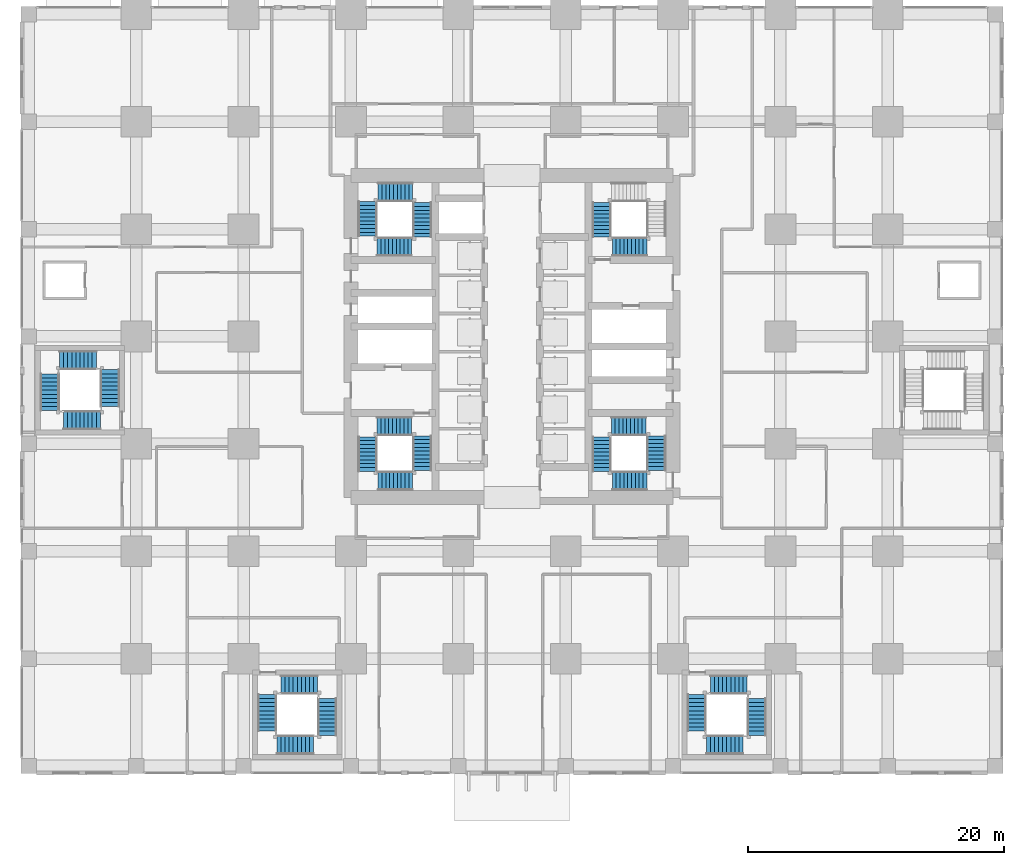
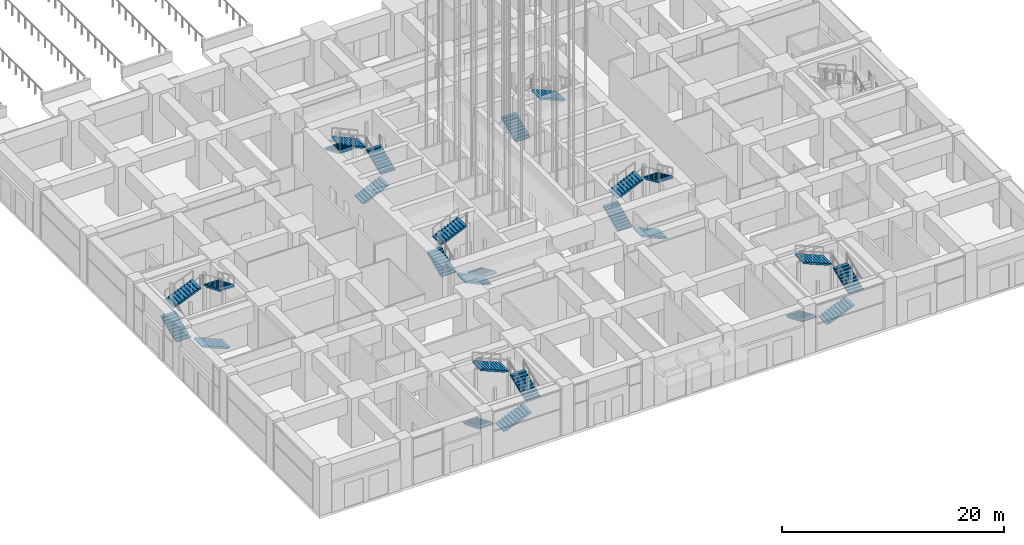
# One storey, part 44 of 81: 26 stair flights, 7 elements without a shape of their own.
"""IFC4 building model written with IfcOpenShell, lengths in metres."""

from ifc_helpers import new_model, si_unit, direction, frame, origin, place, context, subcontext, project, spatial, polyline, outline, extrude, material, type_object, element, aggregate, save


model = new_model("IFC4")

# Units and contexts
model_context = context("Model", 3, precision=1e-05, world=origin(), true_north=direction((0.0, 1.0)))
body_context = subcontext(model_context, "Body", "Model", "MODEL_VIEW")
ifc_project = project(units=[si_unit("LENGTHUNIT", "METRE"), si_unit("AREAUNIT", "SQUARE_METRE"), si_unit("VOLUMEUNIT", "CUBIC_METRE"), si_unit("PLANEANGLEUNIT", "RADIAN"), si_unit("MASSUNIT", "GRAM", prefix="KILO")], contexts=[model_context])

# Site, building, storey
site_placement = place(None, origin())
site = spatial("IfcSite", under=ifc_project, at=site_placement, CompositionType="ELEMENT")
building_placement = place(site_placement, origin())
building = spatial("IfcBuilding", under=site, at=building_placement, Name="Rekha Terrace Tower", CompositionType="ELEMENT")
storey_placement = place(building_placement, origin())
storey = spatial("IfcBuildingStorey", under=building, at=storey_placement, Name="L00", CompositionType="ELEMENT", Elevation=0.0)

# Stair, stair flights
ifc_material = material(Name="Concrete M40", Category="concrete")
stair_type_1 = type_object("IfcStairType", Name="ST40 stair, 40 risers of 135, going 300, 1500 wide flights, 4 flights", PredefinedType="QUARTER_TURN_STAIR", material=ifc_material)
stair_1_placement = place(storey_placement, origin())
stair_1 = element("IfcStair", 1, at=stair_1_placement, inside=storey, type_object=stair_type_1, Name="Stair ST1 L00 to L01", PredefinedType="QUARTER_TURN_STAIR")
stair_flight_type_1 = type_object("IfcStairFlightType", Name="SF10 stair flight, 10 risers of 135, going 300, 1500 wide", PredefinedType="STRAIGHT", material=ifc_material)
stair_flight_1_placement = place(storey_placement, frame((30.77490234375, 25.824951171875, 0.0), z_axis=(0.0, 0.0, 1.0), x_axis=(0.0, -1.0, 0.0)))
stair_flight_1 = element("IfcStairFlight", 2, at=stair_flight_1_placement, type_object=stair_flight_type_1, Name="ST1 flight 1", NumberOfRisers=10, NumberOfTreads=9, PredefinedType="STRAIGHT", RiserHeight=0.135, TreadLength=0.3, context=body_context, shape_type="SweptSolid", body=[
    extrude(outline(polyline([(0.0, 0.0), (0.0, 0.135009765625), (0.300048828125, 0.135009765625), (0.300048828125, 0.27001953125), (0.60009765625, 0.27001953125), (0.60009765625, 0.405029296875), (0.89990234375, 0.405029296875), (0.89990234375, 0.5400390625), (1.199951171875, 0.5400390625), (1.199951171875, 0.675048828125), (1.5, 0.675048828125), (1.5, 0.81005859375), (1.800048828125, 0.81005859375), (1.800048828125, 0.945068359375), (2.10009765625, 0.945068359375), (2.10009765625, 1.080078125), (2.39990234375, 1.080078125), (2.39990234375, 1.215087890625), (2.699951171875, 1.215087890625), (2.699951171875, 1.35009765625), (2.699951171875, 1.050537109375), (0.365234375, 0.0), (0.0, 0.0)])), frame((0.0, 0.75, 0.0), z_axis=(0.0, -1.0, 0.0), x_axis=(1.0, 0.0, 0.0)), (0.0, 0.0, 1.0), 1.5),
])
stair_flight_2_placement = place(storey_placement, frame((30.02490234375, 22.300048828125, 1.35009765625), z_axis=(0.0, 0.0, 1.0), x_axis=(-1.0, 0.0, 0.0)))
stair_flight_2 = element("IfcStairFlight", 3, at=stair_flight_2_placement, type_object=stair_flight_type_1, Name="ST1 flight 2", NumberOfRisers=10, NumberOfTreads=9, PredefinedType="STRAIGHT", RiserHeight=0.135, TreadLength=0.3, context=body_context, shape_type="SweptSolid", body=[
    extrude(outline(polyline([(0.0, 0.0), (0.0, 0.135009765625), (0.300048828125, 0.135009765625), (0.300048828125, 0.27001953125), (0.60009765625, 0.27001953125), (0.60009765625, 0.405029296875), (0.89990234375, 0.405029296875), (0.89990234375, 0.5400390625), (1.199951171875, 0.5400390625), (1.199951171875, 0.675048828125), (1.5, 0.675048828125), (1.5, 0.81005859375), (1.800048828125, 0.81005859375), (1.800048828125, 0.945068359375), (2.10009765625, 0.945068359375), (2.10009765625, 1.080078125), (2.39990234375, 1.080078125), (2.39990234375, 1.215087890625), (2.699951171875, 1.215087890625), (2.699951171875, 1.35009765625), (2.699951171875, 1.050537109375), (0.365234375, 0.0), (0.0, 0.0)])), frame((0.0, 0.75, 0.0), z_axis=(0.0, -1.0, 0.0), x_axis=(1.0, 0.0, 0.0)), (0.0, 0.0, 1.0), 1.5),
])
stair_flight_3_placement = place(storey_placement, frame((26.5, 23.050048828125, 2.699951171875), z_axis=(0.0, 0.0, 1.0), x_axis=(0.0, 1.0, 0.0)))
stair_flight_3 = element("IfcStairFlight", 4, at=stair_flight_3_placement, type_object=stair_flight_type_1, Name="ST1 flight 3", NumberOfRisers=10, NumberOfTreads=9, PredefinedType="STRAIGHT", RiserHeight=0.135, TreadLength=0.3, context=body_context, shape_type="SweptSolid", body=[
    extrude(outline(polyline([(0.0, 0.0), (0.0, 0.135009765625), (0.300048828125, 0.135009765625), (0.300048828125, 0.27001953125), (0.60009765625, 0.27001953125), (0.60009765625, 0.405029296875), (0.89990234375, 0.405029296875), (0.89990234375, 0.5400390625), (1.199951171875, 0.5400390625), (1.199951171875, 0.675048828125), (1.5, 0.675048828125), (1.5, 0.81005859375), (1.800048828125, 0.81005859375), (1.800048828125, 0.945068359375), (2.10009765625, 0.945068359375), (2.10009765625, 1.080078125), (2.39990234375, 1.080078125), (2.39990234375, 1.215087890625), (2.699951171875, 1.215087890625), (2.699951171875, 1.35009765625), (2.699951171875, 1.050537109375), (0.365234375, 0.0), (0.0, 0.0)])), frame((0.0, 0.75, 0.0), z_axis=(0.0, -1.0, 0.0), x_axis=(1.0, 0.0, 0.0)), (0.0, 0.0, 1.0), 1.5),
])
stair_flight_4_placement = place(storey_placement, frame((27.25, 26.574951171875, 4.050048828125), z_axis=(0.0, 0.0, 1.0), x_axis=(1.0, 0.0, 0.0)))
stair_flight_4 = element("IfcStairFlight", 5, at=stair_flight_4_placement, type_object=stair_flight_type_1, Name="ST1 flight 4", NumberOfRisers=10, NumberOfTreads=9, PredefinedType="STRAIGHT", RiserHeight=0.135, TreadLength=0.3, context=body_context, shape_type="SweptSolid", body=[
    extrude(outline(polyline([(0.0, 0.0), (0.0, 0.135009765625), (0.300048828125, 0.135009765625), (0.300048828125, 0.27001953125), (0.60009765625, 0.27001953125), (0.60009765625, 0.405029296875), (0.89990234375, 0.405029296875), (0.89990234375, 0.5400390625), (1.199951171875, 0.5400390625), (1.199951171875, 0.675048828125), (1.5, 0.675048828125), (1.5, 0.81005859375), (1.800048828125, 0.81005859375), (1.800048828125, 0.945068359375), (2.10009765625, 0.945068359375), (2.10009765625, 1.080078125), (2.39990234375, 1.080078125), (2.39990234375, 1.215087890625), (2.699951171875, 1.215087890625), (2.699951171875, 1.35009765625), (2.699951171875, 1.050537109375), (0.365234375, 0.0), (0.0, 0.0)])), frame((0.0, 0.75, 0.0), z_axis=(0.0, -1.0, 0.0), x_axis=(1.0, 0.0, 0.0)), (0.0, 0.0, 1.0), 1.5),
])
aggregate(stair_1, [stair_flight_1, stair_flight_2, stair_flight_3, stair_flight_4])

stair_2_placement = place(storey_placement, origin())
stair_2 = element("IfcStair", 6, at=stair_2_placement, inside=storey, type_object=stair_type_1, Name="Stair ST2 L00 to L01", PredefinedType="QUARTER_TURN_STAIR")
stair_flight_5_placement = place(storey_placement, frame((44.824951171875, 41.375, 0.0), z_axis=(0.0, 0.0, 1.0), x_axis=(0.0, 1.0, 0.0)))
stair_flight_5 = element("IfcStairFlight", 7, at=stair_flight_5_placement, type_object=stair_flight_type_1, Name="ST2 flight 1", NumberOfRisers=10, NumberOfTreads=9, PredefinedType="STRAIGHT", RiserHeight=0.135, TreadLength=0.3, context=body_context, shape_type="SweptSolid", body=[
    extrude(outline(polyline([(0.0, 0.0), (0.0, 0.135009765625), (0.300048828125, 0.135009765625), (0.300048828125, 0.27001953125), (0.60009765625, 0.27001953125), (0.60009765625, 0.405029296875), (0.89990234375, 0.405029296875), (0.89990234375, 0.5400390625), (1.199951171875, 0.5400390625), (1.199951171875, 0.675048828125), (1.5, 0.675048828125), (1.5, 0.81005859375), (1.800048828125, 0.81005859375), (1.800048828125, 0.945068359375), (2.10009765625, 0.945068359375), (2.10009765625, 1.080078125), (2.39990234375, 1.080078125), (2.39990234375, 1.215087890625), (2.699951171875, 1.215087890625), (2.699951171875, 1.35009765625), (2.699951171875, 1.050537109375), (0.365234375, 0.0), (0.0, 0.0)])), frame((0.0, 0.75, 0.0), z_axis=(0.0, -1.0, 0.0), x_axis=(1.0, 0.0, 0.0)), (0.0, 0.0, 1.0), 1.5),
])
stair_flight_6_placement = place(storey_placement, frame((48.35009765625, 40.625, 4.050048828125), z_axis=(0.0, 0.0, 1.0), x_axis=(-1.0, 0.0, 0.0)))
stair_flight_6 = element("IfcStairFlight", 8, at=stair_flight_6_placement, type_object=stair_flight_type_1, Name="ST2 flight 4", NumberOfRisers=10, NumberOfTreads=9, PredefinedType="STRAIGHT", RiserHeight=0.135, TreadLength=0.3, context=body_context, shape_type="SweptSolid", body=[
    extrude(outline(polyline([(0.0, 0.0), (0.0, 0.135009765625), (0.300048828125, 0.135009765625), (0.300048828125, 0.27001953125), (0.60009765625, 0.27001953125), (0.60009765625, 0.405029296875), (0.89990234375, 0.405029296875), (0.89990234375, 0.5400390625), (1.199951171875, 0.5400390625), (1.199951171875, 0.675048828125), (1.5, 0.675048828125), (1.5, 0.81005859375), (1.800048828125, 0.81005859375), (1.800048828125, 0.945068359375), (2.10009765625, 0.945068359375), (2.10009765625, 1.080078125), (2.39990234375, 1.080078125), (2.39990234375, 1.215087890625), (2.699951171875, 1.215087890625), (2.699951171875, 1.35009765625), (2.699951171875, 1.050537109375), (0.365234375, 0.0), (0.0, 0.0)])), frame((0.0, 0.75, 0.0), z_axis=(0.0, -1.0, 0.0), x_axis=(1.0, 0.0, 0.0)), (0.0, 0.0, 1.0), 1.5),
])
aggregate(stair_2, [stair_flight_5, stair_flight_6])

stair_3_placement = place(storey_placement, origin())
stair_3 = element("IfcStair", 9, at=stair_3_placement, inside=storey, type_object=stair_type_1, Name="Stair ST3 L00 to L01", PredefinedType="QUARTER_TURN_STAIR")
stair_flight_7_placement = place(storey_placement, frame((48.35009765625, 22.300048828125, 0.0), z_axis=(0.0, 0.0, 1.0), x_axis=(-1.0, 0.0, 0.0)))
stair_flight_7 = element("IfcStairFlight", 10, at=stair_flight_7_placement, type_object=stair_flight_type_1, Name="ST3 flight 1", NumberOfRisers=10, NumberOfTreads=9, PredefinedType="STRAIGHT", RiserHeight=0.135, TreadLength=0.3, context=body_context, shape_type="SweptSolid", body=[
    extrude(outline(polyline([(0.0, 0.0), (0.0, 0.135009765625), (0.300048828125, 0.135009765625), (0.300048828125, 0.27001953125), (0.60009765625, 0.27001953125), (0.60009765625, 0.405029296875), (0.89990234375, 0.405029296875), (0.89990234375, 0.5400390625), (1.199951171875, 0.5400390625), (1.199951171875, 0.675048828125), (1.5, 0.675048828125), (1.5, 0.81005859375), (1.800048828125, 0.81005859375), (1.800048828125, 0.945068359375), (2.10009765625, 0.945068359375), (2.10009765625, 1.080078125), (2.39990234375, 1.080078125), (2.39990234375, 1.215087890625), (2.699951171875, 1.215087890625), (2.699951171875, 1.35009765625), (2.699951171875, 1.050537109375), (0.365234375, 0.0), (0.0, 0.0)])), frame((0.0, 0.75, 0.0), z_axis=(0.0, -1.0, 0.0), x_axis=(1.0, 0.0, 0.0)), (0.0, 0.0, 1.0), 1.5),
])
stair_flight_8_placement = place(storey_placement, frame((44.824951171875, 23.050048828125, 1.35009765625), z_axis=(0.0, 0.0, 1.0), x_axis=(0.0, 1.0, 0.0)))
stair_flight_8 = element("IfcStairFlight", 11, at=stair_flight_8_placement, type_object=stair_flight_type_1, Name="ST3 flight 2", NumberOfRisers=10, NumberOfTreads=9, PredefinedType="STRAIGHT", RiserHeight=0.135, TreadLength=0.3, context=body_context, shape_type="SweptSolid", body=[
    extrude(outline(polyline([(0.0, 0.0), (0.0, 0.135009765625), (0.300048828125, 0.135009765625), (0.300048828125, 0.27001953125), (0.60009765625, 0.27001953125), (0.60009765625, 0.405029296875), (0.89990234375, 0.405029296875), (0.89990234375, 0.5400390625), (1.199951171875, 0.5400390625), (1.199951171875, 0.675048828125), (1.5, 0.675048828125), (1.5, 0.81005859375), (1.800048828125, 0.81005859375), (1.800048828125, 0.945068359375), (2.10009765625, 0.945068359375), (2.10009765625, 1.080078125), (2.39990234375, 1.080078125), (2.39990234375, 1.215087890625), (2.699951171875, 1.215087890625), (2.699951171875, 1.35009765625), (2.699951171875, 1.050537109375), (0.365234375, 0.0), (0.0, 0.0)])), frame((0.0, 0.75, 0.0), z_axis=(0.0, -1.0, 0.0), x_axis=(1.0, 0.0, 0.0)), (0.0, 0.0, 1.0), 1.5),
])
stair_flight_9_placement = place(storey_placement, frame((45.574951171875, 26.574951171875, 2.699951171875), z_axis=(0.0, 0.0, 1.0), x_axis=(1.0, 0.0, 0.0)))
stair_flight_9 = element("IfcStairFlight", 12, at=stair_flight_9_placement, type_object=stair_flight_type_1, Name="ST3 flight 3", NumberOfRisers=10, NumberOfTreads=9, PredefinedType="STRAIGHT", RiserHeight=0.135, TreadLength=0.3, context=body_context, shape_type="SweptSolid", body=[
    extrude(outline(polyline([(0.0, 0.0), (0.0, 0.135009765625), (0.300048828125, 0.135009765625), (0.300048828125, 0.27001953125), (0.60009765625, 0.27001953125), (0.60009765625, 0.405029296875), (0.89990234375, 0.405029296875), (0.89990234375, 0.5400390625), (1.199951171875, 0.5400390625), (1.199951171875, 0.675048828125), (1.5, 0.675048828125), (1.5, 0.81005859375), (1.800048828125, 0.81005859375), (1.800048828125, 0.945068359375), (2.10009765625, 0.945068359375), (2.10009765625, 1.080078125), (2.39990234375, 1.080078125), (2.39990234375, 1.215087890625), (2.699951171875, 1.215087890625), (2.699951171875, 1.35009765625), (2.699951171875, 1.050537109375), (0.365234375, 0.0), (0.0, 0.0)])), frame((0.0, 0.75, 0.0), z_axis=(0.0, -1.0, 0.0), x_axis=(1.0, 0.0, 0.0)), (0.0, 0.0, 1.0), 1.5),
])
stair_flight_10_placement = place(storey_placement, frame((49.10009765625, 25.824951171875, 4.050048828125), z_axis=(0.0, 0.0, 1.0), x_axis=(0.0, -1.0, 0.0)))
stair_flight_10 = element("IfcStairFlight", 13, at=stair_flight_10_placement, type_object=stair_flight_type_1, Name="ST3 flight 4", NumberOfRisers=10, NumberOfTreads=9, PredefinedType="STRAIGHT", RiserHeight=0.135, TreadLength=0.3, context=body_context, shape_type="SweptSolid", body=[
    extrude(outline(polyline([(0.0, 0.0), (0.0, 0.135009765625), (0.300048828125, 0.135009765625), (0.300048828125, 0.27001953125), (0.60009765625, 0.27001953125), (0.60009765625, 0.405029296875), (0.89990234375, 0.405029296875), (0.89990234375, 0.5400390625), (1.199951171875, 0.5400390625), (1.199951171875, 0.675048828125), (1.5, 0.675048828125), (1.5, 0.81005859375), (1.800048828125, 0.81005859375), (1.800048828125, 0.945068359375), (2.10009765625, 0.945068359375), (2.10009765625, 1.080078125), (2.39990234375, 1.080078125), (2.39990234375, 1.215087890625), (2.699951171875, 1.215087890625), (2.699951171875, 1.35009765625), (2.699951171875, 1.050537109375), (0.365234375, 0.0), (0.0, 0.0)])), frame((0.0, 0.75, 0.0), z_axis=(0.0, -1.0, 0.0), x_axis=(1.0, 0.0, 0.0)), (0.0, 0.0, 1.0), 1.5),
])
aggregate(stair_3, [stair_flight_7, stair_flight_8, stair_flight_9, stair_flight_10])

stair_4_placement = place(storey_placement, origin())
stair_4 = element("IfcStair", 14, at=stair_4_placement, inside=storey, type_object=stair_type_1, Name="Stair ST4 L00 to L01", PredefinedType="QUARTER_TURN_STAIR")
stair_flight_11_placement = place(storey_placement, frame((27.25, 40.625, 0.0), z_axis=(0.0, 0.0, 1.0), x_axis=(1.0, 0.0, 0.0)))
stair_flight_11 = element("IfcStairFlight", 15, at=stair_flight_11_placement, type_object=stair_flight_type_1, Name="ST4 flight 1", NumberOfRisers=10, NumberOfTreads=9, PredefinedType="STRAIGHT", RiserHeight=0.135, TreadLength=0.3, context=body_context, shape_type="SweptSolid", body=[
    extrude(outline(polyline([(0.0, 0.0), (0.0, 0.135009765625), (0.300048828125, 0.135009765625), (0.300048828125, 0.27001953125), (0.60009765625, 0.27001953125), (0.60009765625, 0.405029296875), (0.89990234375, 0.405029296875), (0.89990234375, 0.5400390625), (1.199951171875, 0.5400390625), (1.199951171875, 0.675048828125), (1.5, 0.675048828125), (1.5, 0.81005859375), (1.800048828125, 0.81005859375), (1.800048828125, 0.945068359375), (2.10009765625, 0.945068359375), (2.10009765625, 1.080078125), (2.39990234375, 1.080078125), (2.39990234375, 1.215087890625), (2.699951171875, 1.215087890625), (2.699951171875, 1.35009765625), (2.699951171875, 1.050537109375), (0.365234375, 0.0), (0.0, 0.0)])), frame((0.0, 0.75, 0.0), z_axis=(0.0, -1.0, 0.0), x_axis=(1.0, 0.0, 0.0)), (0.0, 0.0, 1.0), 1.5),
])
stair_flight_12_placement = place(storey_placement, frame((30.77490234375, 41.375, 1.35009765625), z_axis=(0.0, 0.0, 1.0), x_axis=(0.0, 1.0, 0.0)))
stair_flight_12 = element("IfcStairFlight", 16, at=stair_flight_12_placement, type_object=stair_flight_type_1, Name="ST4 flight 2", NumberOfRisers=10, NumberOfTreads=9, PredefinedType="STRAIGHT", RiserHeight=0.135, TreadLength=0.3, context=body_context, shape_type="SweptSolid", body=[
    extrude(outline(polyline([(0.0, 0.0), (0.0, 0.135009765625), (0.300048828125, 0.135009765625), (0.300048828125, 0.27001953125), (0.60009765625, 0.27001953125), (0.60009765625, 0.405029296875), (0.89990234375, 0.405029296875), (0.89990234375, 0.5400390625), (1.199951171875, 0.5400390625), (1.199951171875, 0.675048828125), (1.5, 0.675048828125), (1.5, 0.81005859375), (1.800048828125, 0.81005859375), (1.800048828125, 0.945068359375), (2.10009765625, 0.945068359375), (2.10009765625, 1.080078125), (2.39990234375, 1.080078125), (2.39990234375, 1.215087890625), (2.699951171875, 1.215087890625), (2.699951171875, 1.35009765625), (2.699951171875, 1.050537109375), (0.365234375, 0.0), (0.0, 0.0)])), frame((0.0, 0.75, 0.0), z_axis=(0.0, -1.0, 0.0), x_axis=(1.0, 0.0, 0.0)), (0.0, 0.0, 1.0), 1.5),
])
stair_flight_13_placement = place(storey_placement, frame((30.02490234375, 44.89990234375, 2.699951171875), z_axis=(0.0, 0.0, 1.0), x_axis=(-1.0, 0.0, 0.0)))
stair_flight_13 = element("IfcStairFlight", 17, at=stair_flight_13_placement, type_object=stair_flight_type_1, Name="ST4 flight 3", NumberOfRisers=10, NumberOfTreads=9, PredefinedType="STRAIGHT", RiserHeight=0.135, TreadLength=0.3, context=body_context, shape_type="SweptSolid", body=[
    extrude(outline(polyline([(0.0, 0.0), (0.0, 0.135009765625), (0.300048828125, 0.135009765625), (0.300048828125, 0.27001953125), (0.60009765625, 0.27001953125), (0.60009765625, 0.405029296875), (0.89990234375, 0.405029296875), (0.89990234375, 0.5400390625), (1.199951171875, 0.5400390625), (1.199951171875, 0.675048828125), (1.5, 0.675048828125), (1.5, 0.81005859375), (1.800048828125, 0.81005859375), (1.800048828125, 0.945068359375), (2.10009765625, 0.945068359375), (2.10009765625, 1.080078125), (2.39990234375, 1.080078125), (2.39990234375, 1.215087890625), (2.699951171875, 1.215087890625), (2.699951171875, 1.35009765625), (2.699951171875, 1.050537109375), (0.365234375, 0.0), (0.0, 0.0)])), frame((0.0, 0.75, 0.0), z_axis=(0.0, -1.0, 0.0), x_axis=(1.0, 0.0, 0.0)), (0.0, 0.0, 1.0), 1.5),
])
stair_flight_14_placement = place(storey_placement, frame((26.5, 44.14990234375, 4.050048828125), z_axis=(0.0, 0.0, 1.0), x_axis=(0.0, -1.0, 0.0)))
stair_flight_14 = element("IfcStairFlight", 18, at=stair_flight_14_placement, type_object=stair_flight_type_1, Name="ST4 flight 4", NumberOfRisers=10, NumberOfTreads=9, PredefinedType="STRAIGHT", RiserHeight=0.135, TreadLength=0.3, context=body_context, shape_type="SweptSolid", body=[
    extrude(outline(polyline([(0.0, 0.0), (0.0, 0.135009765625), (0.300048828125, 0.135009765625), (0.300048828125, 0.27001953125), (0.60009765625, 0.27001953125), (0.60009765625, 0.405029296875), (0.89990234375, 0.405029296875), (0.89990234375, 0.5400390625), (1.199951171875, 0.5400390625), (1.199951171875, 0.675048828125), (1.5, 0.675048828125), (1.5, 0.81005859375), (1.800048828125, 0.81005859375), (1.800048828125, 0.945068359375), (2.10009765625, 0.945068359375), (2.10009765625, 1.080078125), (2.39990234375, 1.080078125), (2.39990234375, 1.215087890625), (2.699951171875, 1.215087890625), (2.699951171875, 1.35009765625), (2.699951171875, 1.050537109375), (0.365234375, 0.0), (0.0, 0.0)])), frame((0.0, 0.75, 0.0), z_axis=(0.0, -1.0, 0.0), x_axis=(1.0, 0.0, 0.0)), (0.0, 0.0, 1.0), 1.5),
])
aggregate(stair_4, [stair_flight_11, stair_flight_12, stair_flight_13, stair_flight_14])

stair_type_2 = type_object("IfcStairType", Name="ST40 stair, 40 risers of 135, going 320, 1500 wide flights, 4 flights", PredefinedType="QUARTER_TURN_STAIR", material=ifc_material)
stair_5_placement = place(storey_placement, origin())
stair_5 = element("IfcStair", 19, at=stair_5_placement, inside=storey, type_object=stair_type_2, Name="Stair SP1 L00 to L01", PredefinedType="QUARTER_TURN_STAIR")
stair_flight_type_2 = type_object("IfcStairFlightType", Name="SF10 stair flight, 10 risers of 135, going 320, 1500 wide", PredefinedType="STRAIGHT", material=ifc_material)
stair_flight_15_placement = place(storey_placement, frame((5.60009765625, 27.050048828125, 0.0), z_axis=(0.0, 0.0, 1.0), x_axis=(-1.0, 0.0, 0.0)))
stair_flight_15 = element("IfcStairFlight", 20, at=stair_flight_15_placement, type_object=stair_flight_type_2, Name="SP1 flight 1", NumberOfRisers=10, NumberOfTreads=9, PredefinedType="STRAIGHT", RiserHeight=0.135, TreadLength=0.32, context=body_context, shape_type="SweptSolid", body=[
    extrude(outline(polyline([(0.0, 0.0), (0.0, 0.135009765625), (0.320068359375, 0.135009765625), (0.320068359375, 0.27001953125), (0.639892578125, 0.27001953125), (0.639892578125, 0.405029296875), (0.9599609375, 0.405029296875), (0.9599609375, 0.5400390625), (1.280029296875, 0.5400390625), (1.280029296875, 0.675048828125), (1.60009765625, 0.675048828125), (1.60009765625, 0.81005859375), (1.919921875, 0.81005859375), (1.919921875, 0.945068359375), (2.239990234375, 0.945068359375), (2.239990234375, 1.080078125), (2.56005859375, 1.080078125), (2.56005859375, 1.215087890625), (2.8798828125, 1.215087890625), (2.8798828125, 1.35009765625), (2.8798828125, 1.05224609375), (0.3857421875, 0.0), (0.0, 0.0)])), frame((0.0, 0.75, 0.0), z_axis=(0.0, -1.0, 0.0), x_axis=(1.0, 0.0, 0.0)), (0.0, 0.0, 1.0), 1.5),
])
stair_flight_16_placement = place(storey_placement, frame((1.64990234375, 27.800048828125, 1.35009765625), z_axis=(0.0, 0.0, 1.0), x_axis=(0.0, 1.0, 0.0)))
stair_flight_16 = element("IfcStairFlight", 21, at=stair_flight_16_placement, type_object=stair_flight_type_2, Name="SP1 flight 2", NumberOfRisers=10, NumberOfTreads=9, PredefinedType="STRAIGHT", RiserHeight=0.135, TreadLength=0.32, context=body_context, shape_type="SweptSolid", body=[
    extrude(outline(polyline([(0.0, 0.0), (0.0, 0.135009765625), (0.320068359375, 0.135009765625), (0.320068359375, 0.27001953125), (0.639892578125, 0.27001953125), (0.639892578125, 0.405029296875), (0.9599609375, 0.405029296875), (0.9599609375, 0.5400390625), (1.280029296875, 0.5400390625), (1.280029296875, 0.675048828125), (1.60009765625, 0.675048828125), (1.60009765625, 0.81005859375), (1.919921875, 0.81005859375), (1.919921875, 0.945068359375), (2.239990234375, 0.945068359375), (2.239990234375, 1.080078125), (2.56005859375, 1.080078125), (2.56005859375, 1.215087890625), (2.8798828125, 1.215087890625), (2.8798828125, 1.35009765625), (2.8798828125, 1.05224609375), (0.3857421875, 0.0), (0.0, 0.0)])), frame((0.0, 0.75, 0.0), z_axis=(0.0, -1.0, 0.0), x_axis=(1.0, 0.0, 0.0)), (0.0, 0.0, 1.0), 1.5),
])
stair_flight_17_placement = place(storey_placement, frame((2.39990234375, 31.75, 2.699951171875), z_axis=(0.0, 0.0, 1.0), x_axis=(1.0, 0.0, 0.0)))
stair_flight_17 = element("IfcStairFlight", 22, at=stair_flight_17_placement, type_object=stair_flight_type_2, Name="SP1 flight 3", NumberOfRisers=10, NumberOfTreads=9, PredefinedType="STRAIGHT", RiserHeight=0.135, TreadLength=0.32, context=body_context, shape_type="SweptSolid", body=[
    extrude(outline(polyline([(0.0, 0.0), (0.0, 0.135009765625), (0.320068359375, 0.135009765625), (0.320068359375, 0.27001953125), (0.639892578125, 0.27001953125), (0.639892578125, 0.405029296875), (0.9599609375, 0.405029296875), (0.9599609375, 0.5400390625), (1.280029296875, 0.5400390625), (1.280029296875, 0.675048828125), (1.60009765625, 0.675048828125), (1.60009765625, 0.81005859375), (1.919921875, 0.81005859375), (1.919921875, 0.945068359375), (2.239990234375, 0.945068359375), (2.239990234375, 1.080078125), (2.56005859375, 1.080078125), (2.56005859375, 1.215087890625), (2.8798828125, 1.215087890625), (2.8798828125, 1.35009765625), (2.8798828125, 1.05224609375), (0.3857421875, 0.0), (0.0, 0.0)])), frame((0.0, 0.75, 0.0), z_axis=(0.0, -1.0, 0.0), x_axis=(1.0, 0.0, 0.0)), (0.0, 0.0, 1.0), 1.5),
])
stair_flight_18_placement = place(storey_placement, frame((6.35009765625, 31.0, 4.050048828125), z_axis=(0.0, 0.0, 1.0), x_axis=(0.0, -1.0, 0.0)))
stair_flight_18 = element("IfcStairFlight", 23, at=stair_flight_18_placement, type_object=stair_flight_type_2, Name="SP1 flight 4", NumberOfRisers=10, NumberOfTreads=9, PredefinedType="STRAIGHT", RiserHeight=0.135, TreadLength=0.32, context=body_context, shape_type="SweptSolid", body=[
    extrude(outline(polyline([(0.0, 0.0), (0.0, 0.135009765625), (0.320068359375, 0.135009765625), (0.320068359375, 0.27001953125), (0.639892578125, 0.27001953125), (0.639892578125, 0.405029296875), (0.9599609375, 0.405029296875), (0.9599609375, 0.5400390625), (1.280029296875, 0.5400390625), (1.280029296875, 0.675048828125), (1.60009765625, 0.675048828125), (1.60009765625, 0.81005859375), (1.919921875, 0.81005859375), (1.919921875, 0.945068359375), (2.239990234375, 0.945068359375), (2.239990234375, 1.080078125), (2.56005859375, 1.080078125), (2.56005859375, 1.215087890625), (2.8798828125, 1.215087890625), (2.8798828125, 1.35009765625), (2.8798828125, 1.05224609375), (0.3857421875, 0.0), (0.0, 0.0)])), frame((0.0, 0.75, 0.0), z_axis=(0.0, -1.0, 0.0), x_axis=(1.0, 0.0, 0.0)), (0.0, 0.0, 1.0), 1.5),
])
aggregate(stair_5, [stair_flight_15, stair_flight_16, stair_flight_17, stair_flight_18])

stair_6_placement = place(storey_placement, origin())
stair_6 = element("IfcStair", 24, at=stair_6_placement, inside=storey, type_object=stair_type_2, Name="Stair SP3 L00 to L01", PredefinedType="QUARTER_TURN_STAIR")
stair_flight_19_placement = place(storey_placement, frame((18.64990234375, 5.60009765625, 0.0), z_axis=(0.0, 0.0, 1.0), x_axis=(0.0, -1.0, 0.0)))
stair_flight_19 = element("IfcStairFlight", 25, at=stair_flight_19_placement, type_object=stair_flight_type_2, Name="SP3 flight 1", NumberOfRisers=10, NumberOfTreads=9, PredefinedType="STRAIGHT", RiserHeight=0.135, TreadLength=0.32, context=body_context, shape_type="SweptSolid", body=[
    extrude(outline(polyline([(0.0, 0.0), (0.0, 0.135009765625), (0.320068359375, 0.135009765625), (0.320068359375, 0.27001953125), (0.639892578125, 0.27001953125), (0.639892578125, 0.405029296875), (0.9599609375, 0.405029296875), (0.9599609375, 0.5400390625), (1.280029296875, 0.5400390625), (1.280029296875, 0.675048828125), (1.60009765625, 0.675048828125), (1.60009765625, 0.81005859375), (1.919921875, 0.81005859375), (1.919921875, 0.945068359375), (2.239990234375, 0.945068359375), (2.239990234375, 1.080078125), (2.56005859375, 1.080078125), (2.56005859375, 1.215087890625), (2.8798828125, 1.215087890625), (2.8798828125, 1.35009765625), (2.8798828125, 1.05224609375), (0.3857421875, 0.0), (0.0, 0.0)])), frame((0.0, 0.75, 0.0), z_axis=(0.0, -1.0, 0.0), x_axis=(1.0, 0.0, 0.0)), (0.0, 0.0, 1.0), 1.5),
])
stair_flight_20_placement = place(storey_placement, frame((19.39990234375, 1.64990234375, 1.35009765625), z_axis=(0.0, 0.0, 1.0), x_axis=(1.0, 0.0, 0.0)))
stair_flight_20 = element("IfcStairFlight", 26, at=stair_flight_20_placement, type_object=stair_flight_type_2, Name="SP3 flight 2", NumberOfRisers=10, NumberOfTreads=9, PredefinedType="STRAIGHT", RiserHeight=0.135, TreadLength=0.32, context=body_context, shape_type="SweptSolid", body=[
    extrude(outline(polyline([(0.0, 0.0), (0.0, 0.135009765625), (0.320068359375, 0.135009765625), (0.320068359375, 0.27001953125), (0.639892578125, 0.27001953125), (0.639892578125, 0.405029296875), (0.9599609375, 0.405029296875), (0.9599609375, 0.5400390625), (1.280029296875, 0.5400390625), (1.280029296875, 0.675048828125), (1.60009765625, 0.675048828125), (1.60009765625, 0.81005859375), (1.919921875, 0.81005859375), (1.919921875, 0.945068359375), (2.239990234375, 0.945068359375), (2.239990234375, 1.080078125), (2.56005859375, 1.080078125), (2.56005859375, 1.215087890625), (2.8798828125, 1.215087890625), (2.8798828125, 1.35009765625), (2.8798828125, 1.05224609375), (0.3857421875, 0.0), (0.0, 0.0)])), frame((0.0, 0.75, 0.0), z_axis=(0.0, -1.0, 0.0), x_axis=(1.0, 0.0, 0.0)), (0.0, 0.0, 1.0), 1.5),
])
stair_flight_21_placement = place(storey_placement, frame((23.35009765625, 2.39990234375, 2.699951171875), z_axis=(0.0, 0.0, 1.0), x_axis=(0.0, 1.0, 0.0)))
stair_flight_21 = element("IfcStairFlight", 27, at=stair_flight_21_placement, type_object=stair_flight_type_2, Name="SP3 flight 3", NumberOfRisers=10, NumberOfTreads=9, PredefinedType="STRAIGHT", RiserHeight=0.135, TreadLength=0.32, context=body_context, shape_type="SweptSolid", body=[
    extrude(outline(polyline([(0.0, 0.0), (0.0, 0.135009765625), (0.320068359375, 0.135009765625), (0.320068359375, 0.27001953125), (0.639892578125, 0.27001953125), (0.639892578125, 0.405029296875), (0.9599609375, 0.405029296875), (0.9599609375, 0.5400390625), (1.280029296875, 0.5400390625), (1.280029296875, 0.675048828125), (1.60009765625, 0.675048828125), (1.60009765625, 0.81005859375), (1.919921875, 0.81005859375), (1.919921875, 0.945068359375), (2.239990234375, 0.945068359375), (2.239990234375, 1.080078125), (2.56005859375, 1.080078125), (2.56005859375, 1.215087890625), (2.8798828125, 1.215087890625), (2.8798828125, 1.35009765625), (2.8798828125, 1.05224609375), (0.3857421875, 0.0), (0.0, 0.0)])), frame((0.0, 0.75, 0.0), z_axis=(0.0, -1.0, 0.0), x_axis=(1.0, 0.0, 0.0)), (0.0, 0.0, 1.0), 1.5),
])
stair_flight_22_placement = place(storey_placement, frame((22.60009765625, 6.35009765625, 4.050048828125), z_axis=(0.0, 0.0, 1.0), x_axis=(-1.0, 0.0, 0.0)))
stair_flight_22 = element("IfcStairFlight", 28, at=stair_flight_22_placement, type_object=stair_flight_type_2, Name="SP3 flight 4", NumberOfRisers=10, NumberOfTreads=9, PredefinedType="STRAIGHT", RiserHeight=0.135, TreadLength=0.32, context=body_context, shape_type="SweptSolid", body=[
    extrude(outline(polyline([(0.0, 0.0), (0.0, 0.135009765625), (0.320068359375, 0.135009765625), (0.320068359375, 0.27001953125), (0.639892578125, 0.27001953125), (0.639892578125, 0.405029296875), (0.9599609375, 0.405029296875), (0.9599609375, 0.5400390625), (1.280029296875, 0.5400390625), (1.280029296875, 0.675048828125), (1.60009765625, 0.675048828125), (1.60009765625, 0.81005859375), (1.919921875, 0.81005859375), (1.919921875, 0.945068359375), (2.239990234375, 0.945068359375), (2.239990234375, 1.080078125), (2.56005859375, 1.080078125), (2.56005859375, 1.215087890625), (2.8798828125, 1.215087890625), (2.8798828125, 1.35009765625), (2.8798828125, 1.05224609375), (0.3857421875, 0.0), (0.0, 0.0)])), frame((0.0, 0.75, 0.0), z_axis=(0.0, -1.0, 0.0), x_axis=(1.0, 0.0, 0.0)), (0.0, 0.0, 1.0), 1.5),
])
aggregate(stair_6, [stair_flight_19, stair_flight_20, stair_flight_21, stair_flight_22])

stair_7_placement = place(storey_placement, origin())
stair_7 = element("IfcStair", 29, at=stair_7_placement, inside=storey, type_object=stair_type_2, Name="Stair SP4 L00 to L01", PredefinedType="QUARTER_TURN_STAIR")
stair_flight_23_placement = place(storey_placement, frame((52.25, 5.60009765625, 0.0), z_axis=(0.0, 0.0, 1.0), x_axis=(0.0, -1.0, 0.0)))
stair_flight_23 = element("IfcStairFlight", 30, at=stair_flight_23_placement, type_object=stair_flight_type_2, Name="SP4 flight 1", NumberOfRisers=10, NumberOfTreads=9, PredefinedType="STRAIGHT", RiserHeight=0.135, TreadLength=0.32, context=body_context, shape_type="SweptSolid", body=[
    extrude(outline(polyline([(0.0, 0.0), (0.0, 0.135009765625), (0.320068359375, 0.135009765625), (0.320068359375, 0.27001953125), (0.639892578125, 0.27001953125), (0.639892578125, 0.405029296875), (0.9599609375, 0.405029296875), (0.9599609375, 0.5400390625), (1.280029296875, 0.5400390625), (1.280029296875, 0.675048828125), (1.60009765625, 0.675048828125), (1.60009765625, 0.81005859375), (1.919921875, 0.81005859375), (1.919921875, 0.945068359375), (2.239990234375, 0.945068359375), (2.239990234375, 1.080078125), (2.56005859375, 1.080078125), (2.56005859375, 1.215087890625), (2.8798828125, 1.215087890625), (2.8798828125, 1.35009765625), (2.8798828125, 1.05224609375), (0.3857421875, 0.0), (0.0, 0.0)])), frame((0.0, 0.75, 0.0), z_axis=(0.0, -1.0, 0.0), x_axis=(1.0, 0.0, 0.0)), (0.0, 0.0, 1.0), 1.5),
])
stair_flight_24_placement = place(storey_placement, frame((53.0, 1.64990234375, 1.35009765625), z_axis=(0.0, 0.0, 1.0), x_axis=(1.0, 0.0, 0.0)))
stair_flight_24 = element("IfcStairFlight", 31, at=stair_flight_24_placement, type_object=stair_flight_type_2, Name="SP4 flight 2", NumberOfRisers=10, NumberOfTreads=9, PredefinedType="STRAIGHT", RiserHeight=0.135, TreadLength=0.32, context=body_context, shape_type="SweptSolid", body=[
    extrude(outline(polyline([(0.0, 0.0), (0.0, 0.135009765625), (0.320068359375, 0.135009765625), (0.320068359375, 0.27001953125), (0.639892578125, 0.27001953125), (0.639892578125, 0.405029296875), (0.9599609375, 0.405029296875), (0.9599609375, 0.5400390625), (1.280029296875, 0.5400390625), (1.280029296875, 0.675048828125), (1.60009765625, 0.675048828125), (1.60009765625, 0.81005859375), (1.919921875, 0.81005859375), (1.919921875, 0.945068359375), (2.239990234375, 0.945068359375), (2.239990234375, 1.080078125), (2.56005859375, 1.080078125), (2.56005859375, 1.215087890625), (2.8798828125, 1.215087890625), (2.8798828125, 1.35009765625), (2.8798828125, 1.05224609375), (0.3857421875, 0.0), (0.0, 0.0)])), frame((0.0, 0.75, 0.0), z_axis=(0.0, -1.0, 0.0), x_axis=(1.0, 0.0, 0.0)), (0.0, 0.0, 1.0), 1.5),
])
stair_flight_25_placement = place(storey_placement, frame((56.949951171875, 2.39990234375, 2.699951171875), z_axis=(0.0, 0.0, 1.0), x_axis=(0.0, 1.0, 0.0)))
stair_flight_25 = element("IfcStairFlight", 32, at=stair_flight_25_placement, type_object=stair_flight_type_2, Name="SP4 flight 3", NumberOfRisers=10, NumberOfTreads=9, PredefinedType="STRAIGHT", RiserHeight=0.135, TreadLength=0.32, context=body_context, shape_type="SweptSolid", body=[
    extrude(outline(polyline([(0.0, 0.0), (0.0, 0.135009765625), (0.320068359375, 0.135009765625), (0.320068359375, 0.27001953125), (0.639892578125, 0.27001953125), (0.639892578125, 0.405029296875), (0.9599609375, 0.405029296875), (0.9599609375, 0.5400390625), (1.280029296875, 0.5400390625), (1.280029296875, 0.675048828125), (1.60009765625, 0.675048828125), (1.60009765625, 0.81005859375), (1.919921875, 0.81005859375), (1.919921875, 0.945068359375), (2.239990234375, 0.945068359375), (2.239990234375, 1.080078125), (2.56005859375, 1.080078125), (2.56005859375, 1.215087890625), (2.8798828125, 1.215087890625), (2.8798828125, 1.35009765625), (2.8798828125, 1.05224609375), (0.3857421875, 0.0), (0.0, 0.0)])), frame((0.0, 0.75, 0.0), z_axis=(0.0, -1.0, 0.0), x_axis=(1.0, 0.0, 0.0)), (0.0, 0.0, 1.0), 1.5),
])
stair_flight_26_placement = place(storey_placement, frame((56.199951171875, 6.35009765625, 4.050048828125), z_axis=(0.0, 0.0, 1.0), x_axis=(-1.0, 0.0, 0.0)))
stair_flight_26 = element("IfcStairFlight", 33, at=stair_flight_26_placement, type_object=stair_flight_type_2, Name="SP4 flight 4", NumberOfRisers=10, NumberOfTreads=9, PredefinedType="STRAIGHT", RiserHeight=0.135, TreadLength=0.32, context=body_context, shape_type="SweptSolid", body=[
    extrude(outline(polyline([(0.0, 0.0), (0.0, 0.135009765625), (0.320068359375, 0.135009765625), (0.320068359375, 0.27001953125), (0.639892578125, 0.27001953125), (0.639892578125, 0.405029296875), (0.9599609375, 0.405029296875), (0.9599609375, 0.5400390625), (1.280029296875, 0.5400390625), (1.280029296875, 0.675048828125), (1.60009765625, 0.675048828125), (1.60009765625, 0.81005859375), (1.919921875, 0.81005859375), (1.919921875, 0.945068359375), (2.239990234375, 0.945068359375), (2.239990234375, 1.080078125), (2.56005859375, 1.080078125), (2.56005859375, 1.215087890625), (2.8798828125, 1.215087890625), (2.8798828125, 1.35009765625), (2.8798828125, 1.05224609375), (0.3857421875, 0.0), (0.0, 0.0)])), frame((0.0, 0.75, 0.0), z_axis=(0.0, -1.0, 0.0), x_axis=(1.0, 0.0, 0.0)), (0.0, 0.0, 1.0), 1.5),
])
aggregate(stair_7, [stair_flight_23, stair_flight_24, stair_flight_25, stair_flight_26])

save(model, "model.ifc")
